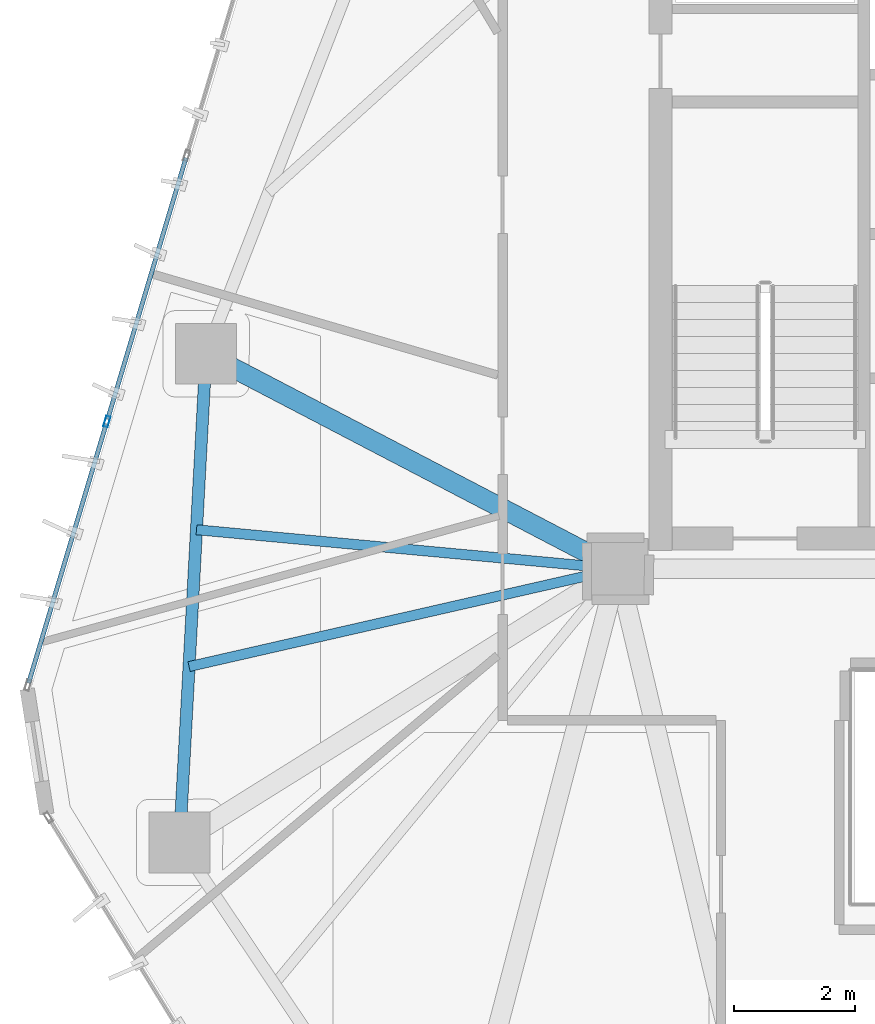
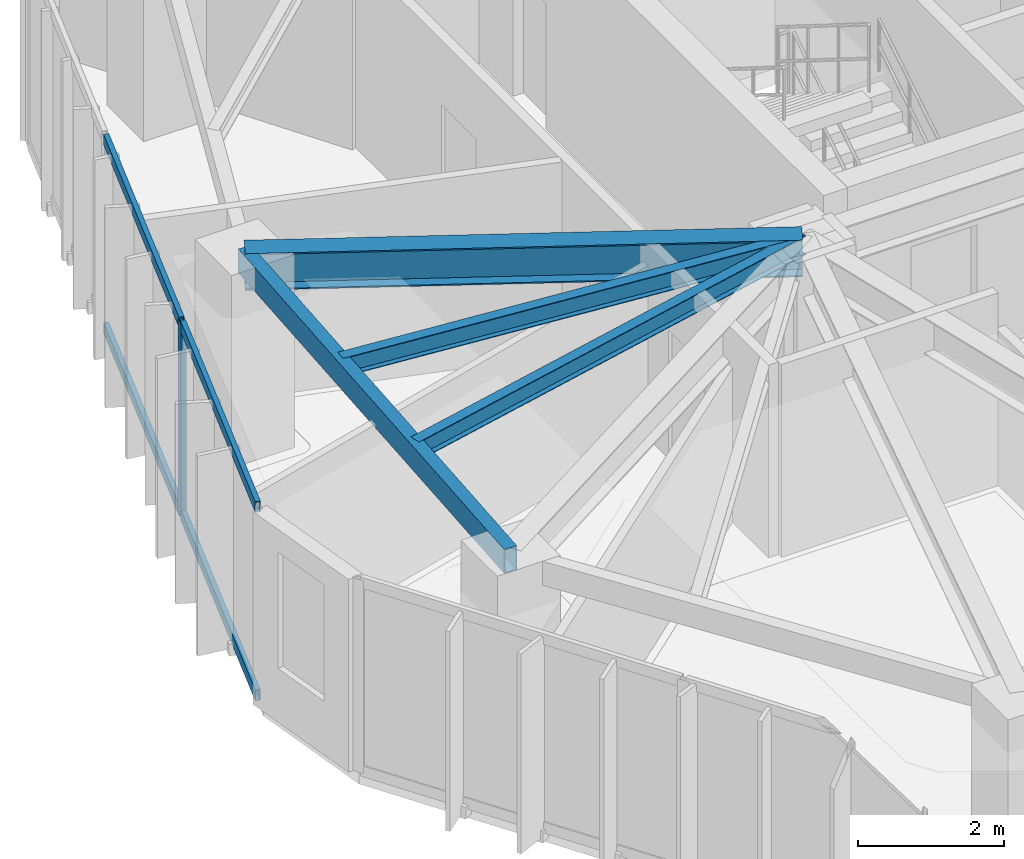
# One storey, part 6 of 19: 5 members, 4 beams, 1 element without a shape of its own.
"""IFC4 building model written with IfcOpenShell, lengths in metres."""

from ifc_helpers import new_model, si_unit, direction, frame, origin, origin_2d, place, context, subcontext, project, spatial, hollow_rectangle, i_section, extrude, source, transform, mapped, material, layer, layer_set, material_profile, profile_set, type_object, type_shapes, element, aggregate, save


model = new_model("IFC4")

# Units and contexts
model_context = context("Model", 3, precision=1e-05, world=origin(), true_north=direction((0.0, 1.0)))
body_context = subcontext(model_context, "Body", "Model", "MODEL_VIEW")
ifc_project = project(units=[si_unit("LENGTHUNIT", "METRE"), si_unit("AREAUNIT", "SQUARE_METRE"), si_unit("VOLUMEUNIT", "CUBIC_METRE"), si_unit("PLANEANGLEUNIT", "RADIAN"), si_unit("MASSUNIT", "GRAM", prefix="KILO")], contexts=[model_context])

# Site, building, storey
site_placement = place(None, origin())
site = spatial("IfcSite", under=ifc_project, at=site_placement, CompositionType="ELEMENT")
building_placement = place(site_placement, origin())
building = spatial("IfcBuilding", under=site, at=building_placement, Name="Talar Marvaseh", CompositionType="ELEMENT")
storey_placement = place(building_placement, frame((0.0, 0.0, 177.5)))
storey = spatial("IfcBuildingStorey", under=building, at=storey_placement, Name="L46", CompositionType="ELEMENT", Elevation=177.5)

# Beams
ifc_material_1 = material(Name="Steel S355", Category="steel")
ifc_material_profile_1 = material_profile(ifc_material_1, hollow_rectangle(XDim=0.199951171875, YDim=0.39990234375, WallThickness=0.013916015625, at=origin_2d()), Name="RHS400x200x14")
ifc_profile_set_1 = profile_set([ifc_material_profile_1], Name="Steel S355")
beam_type_1 = type_object("IfcBeamType", Name="Zone 3 Perimeter Spandrel Beam RHS400x200x14", PredefinedType="SPANDREL", material=ifc_profile_set_1)
beam_1_placement = place(storey_placement, frame((11.471923828125, 20.986083984375, 3.030029296875), z_axis=(0.054148078426, 0.998532916635, 0.0), x_axis=(-0.998532916635, 0.054148078426, 0.0)))
element("IfcBeam", 1, at=beam_1_placement, inside=storey, type_object=beam_type_1, Name="L46 Zone 3 Perimeter Spandrel Beam RHS400x200x14", PredefinedType="SPANDREL", context=body_context, shape_type="SweptSolid", body=[
    extrude(hollow_rectangle(XDim=0.199951171875, YDim=0.39990234375, WallThickness=0.013916015625, at=origin_2d()), origin(), (0.0, 0.0, 1.0), 8.070556640625),
])
ifc_material_profile_2 = material_profile(ifc_material_1, i_section(OverallWidth=0.324951171875, OverallDepth=0.615966796875, WebThickness=0.013916015625, FlangeThickness=0.021484375, at=origin_2d()), Name="W610x174")
ifc_profile_set_2 = profile_set([ifc_material_profile_2], Name="Steel S355")
beam_type_2 = type_object("IfcBeamType", Name="Zone 3 Radial Floor Girder W610x174", PredefinedType="BEAM", material=ifc_profile_set_2)
beam_2_placement = place(storey_placement, frame((11.908935546875, 29.044921875, 2.922119140625), z_axis=(0.886489360055, -0.462748975697, 0.0), x_axis=(0.462748975697, 0.886489360055, 0.0)))
element("IfcBeam", 2, at=beam_2_placement, inside=storey, type_object=beam_type_2, Name="L46 Zone 3 Radial Floor Girder W610x174", PredefinedType="BEAM", context=body_context, shape_type="SweptSolid", body=[
    extrude(i_section(OverallWidth=0.324951171875, OverallDepth=0.615966796875, WebThickness=0.013916015625, FlangeThickness=0.021484375, at=origin_2d()), origin(), (0.0, 0.0, 1.0), 7.66064453125),
])
ifc_material_profile_3 = material_profile(ifc_material_1, i_section(OverallWidth=0.166015625, OverallDepth=0.31298828125, WebThickness=0.006591796875, FlangeThickness=0.01123046875, at=origin_2d()), Name="W310x45")
ifc_profile_set_3 = profile_set([ifc_material_profile_3], Name="Steel S355")
beam_type_3 = type_object("IfcBeamType", Name="Zone 3 Secondary Floor Joist W310x45", PredefinedType="JOIST", material=ifc_profile_set_3)
beam_3_placement = place(storey_placement, frame((11.62939453125, 23.88720703125, 3.073486328125), z_axis=(0.974958279205, 0.222387845462, 0.0), x_axis=(-0.222387845462, 0.974958279205, 0.0)))
element("IfcBeam", 3, at=beam_3_placement, inside=storey, type_object=beam_type_3, Name="L46 Zone 3 Secondary Floor Joist W310x45", PredefinedType="JOIST", context=body_context, shape_type="SweptSolid", body=[
    extrude(i_section(OverallWidth=0.166015625, OverallDepth=0.31298828125, WebThickness=0.006591796875, FlangeThickness=0.01123046875, at=origin_2d()), origin(), (0.0, 0.0, 1.0), 7.252197265625),
])
beam_4_placement = place(storey_placement, frame((11.751708984375, 26.143798828125, 3.073486328125), z_axis=(0.995734842854, -0.092261165868, 0.0), x_axis=(0.092261165868, 0.995734842854, 0.0)))
element("IfcBeam", 4, at=beam_4_placement, inside=storey, type_object=beam_type_3, Name="L46 Zone 3 Secondary Floor Joist W310x45", PredefinedType="JOIST", context=body_context, shape_type="SweptSolid", body=[
    extrude(i_section(OverallWidth=0.166015625, OverallDepth=0.31298828125, WebThickness=0.006591796875, FlangeThickness=0.01123046875, at=origin_2d()), origin(), (0.0, 0.0, 1.0), 6.97802734375),
])

# Curtain wall, members
ifc_material_2 = material(Name="Architectural Aluminium", Category="aluminium")
ifc_layer = layer(ifc_material_2, 0.18994140625)
ifc_layer_set = layer_set([ifc_layer], Name="Architectural Aluminium")
curtain_wall_type = type_object("IfcCurtainWallType", Name="Unitised Solar Atelier Curtain Wall Z3", PredefinedType="NOTDEFINED", material=ifc_layer_set)
curtain_wall_placement = place(storey_placement, origin())
curtain_wall = element("IfcCurtainWall", 5, at=curtain_wall_placement, inside=storey, type_object=curtain_wall_type, Name="L46 Unitised Solar Atelier Curtain Wall Z3", PredefinedType="NOTDEFINED")
ifc_material_profile_4 = material_profile(ifc_material_2, hollow_rectangle(XDim=0.074951171875, YDim=0.179931640625, WallThickness=0.0048828125, at=origin_2d()), Name="RHS180x75x5")
ifc_profile_set_4 = profile_set([ifc_material_profile_4], Name="Architectural Aluminium")
member_type_1 = type_object("IfcMemberType", Name="Unitised Curtain Wall Standard Mullion RHS180x75x5", PredefinedType="MULLION", material=ifc_profile_set_4)
shared_shape_1 = source(origin(), body_context, "Body", "SweptSolid", [
    extrude(hollow_rectangle(XDim=0.074951171875, YDim=0.179931640625, WallThickness=0.0048828125, at=origin_2d()), origin(), (0.0, 0.0, 1.0), 3.22998046875),
])
type_shapes(member_type_1, [shared_shape_1])
member_1_placement = place(storey_placement, frame((10.275634765625, 27.928466796875, 0.0), z_axis=(0.0, 0.0, 1.0), x_axis=(-0.957912629254, 0.287059914853, 0.0)))
member_1 = element("IfcMember", 6, at=member_1_placement, type_object=member_type_1, Name="CW-Z3 mullion 2", PredefinedType="MULLION", context=body_context, shape_type="MappedRepresentation", body=[
    mapped(shared_shape_1, transform((0.0, 0.0, 0.0), x_axis=(1.0, 0.0, 0.0), y_axis=(0.0, 1.0, 0.0), z_axis=(0.0, 0.0, 1.0), scale=1.0)),
])
ifc_material_profile_5 = material_profile(ifc_material_2, hollow_rectangle(XDim=0.074951171875, YDim=0.179931640625, WallThickness=0.0048828125, at=origin_2d()), Name="RHS180x75x5")
ifc_profile_set_5 = profile_set([ifc_material_profile_5], Name="Architectural Aluminium")
member_type_2 = type_object("IfcMemberType", Name="Unitised Curtain Wall Transom RHS180x75x5", PredefinedType="USERDEFINED", material=ifc_profile_set_5)
shared_shape_2 = source(origin(), body_context, "Body", "SweptSolid", [
    extrude(hollow_rectangle(XDim=0.074951171875, YDim=0.179931640625, WallThickness=0.0048828125, at=origin_2d()), origin(), (0.0, 0.0, 1.0), 4.464599609375),
])
member_2_placement = place(storey_placement, frame((8.9833984375, 23.61572265625, 0.03759765625), z_axis=(0.287026799701, 0.957922552325, 0.0), x_axis=(-0.957922552325, 0.287026799701, 0.0)))
member_2 = element("IfcMember", 7, at=member_2_placement, type_object=member_type_2, Name="CW-Z3 transom 1.1", ObjectType="TRANSOM", PredefinedType="USERDEFINED", context=body_context, shape_type="MappedRepresentation", body=[
    mapped(shared_shape_2, transform((0.0, 0.0, 0.0), x_axis=(1.0, 0.0, 0.0), y_axis=(0.0, 1.0, 0.0), z_axis=(0.0, 0.0, 1.0), scale=1.0)),
])
member_3_placement = place(storey_placement, frame((8.9833984375, 23.61572265625, 3.1923828125), z_axis=(0.287026799701, 0.957922552325, 0.0), x_axis=(-0.957922552325, 0.287026799701, 0.0)))
member_3 = element("IfcMember", 8, at=member_3_placement, type_object=member_type_2, Name="CW-Z3 transom 1.2", ObjectType="TRANSOM", PredefinedType="USERDEFINED", context=body_context, shape_type="MappedRepresentation", body=[
    mapped(shared_shape_2, transform((0.0, 0.0, 0.0), x_axis=(1.0, 0.0, 0.0), y_axis=(0.0, 1.0, 0.0), z_axis=(0.0, 0.0, 1.0), scale=1.0)),
])
shared_shape_3 = source(origin(), body_context, "Body", "SweptSolid", [
    extrude(hollow_rectangle(XDim=0.074951171875, YDim=0.179931640625, WallThickness=0.0048828125, at=origin_2d()), origin(), (0.0, 0.0, 1.0), 4.501953125),
])
type_shapes(member_type_2, [shared_shape_2, shared_shape_3])
member_4_placement = place(storey_placement, frame((10.286376953125, 27.964599609375, 0.03759765625), z_axis=(0.287089167171, 0.957903862657, 0.0), x_axis=(-0.957903862657, 0.287089167171, 0.0)))
member_4 = element("IfcMember", 9, at=member_4_placement, type_object=member_type_2, Name="CW-Z3 transom 2.1", ObjectType="TRANSOM", PredefinedType="USERDEFINED", context=body_context, shape_type="MappedRepresentation", body=[
    mapped(shared_shape_3, transform((0.0, 0.0, 0.0), x_axis=(1.0, 0.0, 0.0), y_axis=(0.0, 1.0, 0.0), z_axis=(0.0, 0.0, 1.0), scale=1.0)),
])
member_5_placement = place(storey_placement, frame((10.286376953125, 27.964599609375, 3.1923828125), z_axis=(0.287089167171, 0.957903862657, 0.0), x_axis=(-0.957903862657, 0.287089167171, 0.0)))
member_5 = element("IfcMember", 10, at=member_5_placement, type_object=member_type_2, Name="CW-Z3 transom 2.2", ObjectType="TRANSOM", PredefinedType="USERDEFINED", context=body_context, shape_type="MappedRepresentation", body=[
    mapped(shared_shape_3, transform((0.0, 0.0, 0.0), x_axis=(1.0, 0.0, 0.0), y_axis=(0.0, 1.0, 0.0), z_axis=(0.0, 0.0, 1.0), scale=1.0)),
])
aggregate(curtain_wall, [member_1, member_2, member_3, member_4, member_5])

save(model, "model.ifc")
